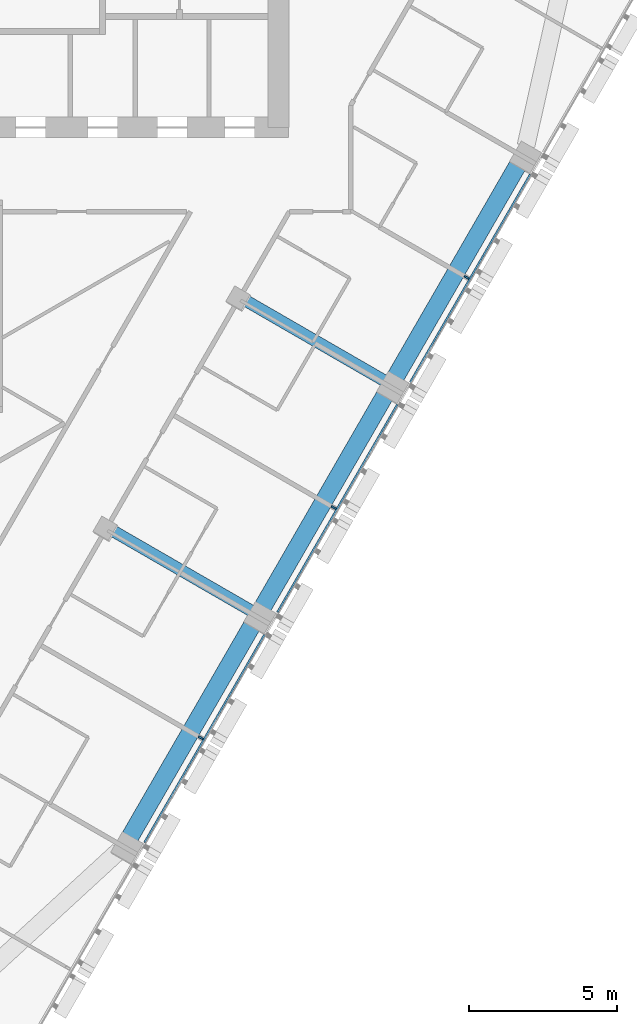
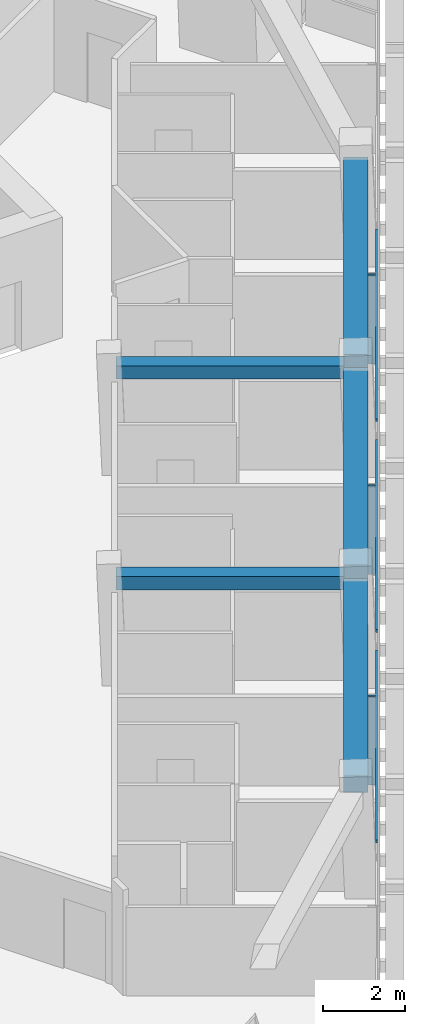
# One storey, part 4 of 16: 6 members, 5 beams, 1 element without a shape of its own.
"""IFC4 building model written with IfcOpenShell, lengths in metres."""

from ifc_helpers import new_model, si_unit, direction, frame, origin, origin_2d, place, context, subcontext, project, spatial, rectangle, extrude, material, layer, layer_set, material_profile, profile_set, type_object, element, aggregate, save


model = new_model("IFC4")

# Units and contexts
model_context = context("Model", 3, precision=1e-05, world=origin(), true_north=direction((0.0, 1.0)))
body_context = subcontext(model_context, "Body", "Model", "MODEL_VIEW")
ifc_project = project(units=[si_unit("LENGTHUNIT", "METRE"), si_unit("AREAUNIT", "SQUARE_METRE"), si_unit("VOLUMEUNIT", "CUBIC_METRE"), si_unit("PLANEANGLEUNIT", "RADIAN"), si_unit("MASSUNIT", "GRAM", prefix="KILO")], contexts=[model_context])

# Site, building, storey
site_placement = place(None, origin())
site = spatial("IfcSite", under=ifc_project, at=site_placement, CompositionType="ELEMENT")
building_placement = place(site_placement, origin())
building = spatial("IfcBuilding", under=site, at=building_placement, Name="Altiplano Prism Tower", CompositionType="ELEMENT")
storey_placement = place(building_placement, frame((0.0, 0.0, 198.0)))
storey = spatial("IfcBuildingStorey", under=building, at=storey_placement, Name="L51", CompositionType="ELEMENT", Elevation=198.0)

# Curtain wall, members
ifc_material_1 = material(Name="Aluminium and glass", Category="aluminium")
ifc_layer = layer(ifc_material_1, 0.280029296875)
ifc_layer_set = layer_set([ifc_layer], Name="Aluminium and glass")
curtain_wall_type = type_object("IfcCurtainWallType", Name="CW1 typical co-living unitised curtain wall", PredefinedType="NOTDEFINED", material=ifc_layer_set)
curtain_wall_placement = place(storey_placement, origin())
curtain_wall = element("IfcCurtainWall", 1, at=curtain_wall_placement, inside=storey, type_object=curtain_wall_type, Name="CW1 curtain wall south-east face L51", PredefinedType="NOTDEFINED")
ifc_material_2 = material(Name="Aluminium", Category="aluminium")
ifc_material_profile_1 = material_profile(ifc_material_2, rectangle(XDim=0.179931640625, YDim=0.06494140625, at=origin_2d()), Name="CW1 mullion 65 x 180")
ifc_profile_set_1 = profile_set([ifc_material_profile_1], Name="Aluminium")
member_type_1 = type_object("IfcMemberType", Name="CW1 mullion 65 x 180", PredefinedType="MULLION", material=ifc_profile_set_1)
member_1_placement = place(storey_placement, frame((94.722412109375, 72.381591796875, 0.0), z_axis=(0.0, 0.0, 1.0), x_axis=(-0.86602540909, 0.49999999081, 0.0)))
member_1 = element("IfcMember", 2, at=member_1_placement, type_object=member_type_1, Name="CW1 mullion", PredefinedType="MULLION", context=body_context, shape_type="SweptSolid", body=[
    extrude(rectangle(XDim=0.179931640625, YDim=0.06494140625, at=origin_2d()), origin(), (0.0, 0.0, 1.0), 2.64990234375),
])
member_2_placement = place(storey_placement, frame((99.222412109375, 80.176025390625, 0.0), z_axis=(0.0, 0.0, 1.0), x_axis=(-0.86602540909, 0.49999999081, 0.0)))
member_2 = element("IfcMember", 3, at=member_2_placement, type_object=member_type_1, Name="CW1 mullion", PredefinedType="MULLION", context=body_context, shape_type="SweptSolid", body=[
    extrude(rectangle(XDim=0.179931640625, YDim=0.06494140625, at=origin_2d()), origin(), (0.0, 0.0, 1.0), 2.64990234375),
])
member_3_placement = place(storey_placement, frame((103.722412109375, 87.97021484375, 0.0), z_axis=(0.0, 0.0, 1.0), x_axis=(-0.86602540909, 0.49999999081, 0.0)))
member_3 = element("IfcMember", 4, at=member_3_placement, type_object=member_type_1, Name="CW1 mullion", PredefinedType="MULLION", context=body_context, shape_type="SweptSolid", body=[
    extrude(rectangle(XDim=0.179931640625, YDim=0.06494140625, at=origin_2d()), origin(), (0.0, 0.0, 1.0), 2.64990234375),
])
ifc_material_profile_2 = material_profile(ifc_material_2, rectangle(XDim=0.06005859375, YDim=0.080078125, at=origin_2d()), Name="CW1 transom 80 x 60")
ifc_profile_set_2 = profile_set([ifc_material_profile_2], Name="Aluminium")
member_type_2 = type_object("IfcMemberType", Name="CW1 transom 80 x 60", PredefinedType="USERDEFINED", material=ifc_profile_set_2)
member_4_placement = place(storey_placement, frame((92.816162109375, 68.83984375, 1.10009765625), z_axis=(0.499990533176, 0.866030869389, 0.0), x_axis=(-0.866030869389, 0.499990533176, 0.0)))
member_4 = element("IfcMember", 5, at=member_4_placement, type_object=member_type_2, Name="CW1 transom", ObjectType="TRANSOM", PredefinedType="USERDEFINED", context=body_context, shape_type="SweptSolid", body=[
    extrude(rectangle(XDim=0.06005859375, YDim=0.080078125, at=origin_2d()), origin(), (0.0, 0.0, 1.0), 8.119873046875),
])
member_5_placement = place(storey_placement, frame((97.316162109375, 76.634033203125, 1.10009765625), z_axis=(0.499990533176, 0.866030869389, 0.0), x_axis=(-0.866030869389, 0.499990533176, 0.0)))
member_5 = element("IfcMember", 6, at=member_5_placement, type_object=member_type_2, Name="CW1 transom", ObjectType="TRANSOM", PredefinedType="USERDEFINED", context=body_context, shape_type="SweptSolid", body=[
    extrude(rectangle(XDim=0.06005859375, YDim=0.080078125, at=origin_2d()), origin(), (0.0, 0.0, 1.0), 8.119873046875),
])
member_6_placement = place(storey_placement, frame((101.816162109375, 84.42822265625, 1.10009765625), z_axis=(0.499977514064, 0.866038385657, 0.0), x_axis=(-0.866038385657, 0.499977514064, 0.0)))
member_6 = element("IfcMember", 7, at=member_6_placement, type_object=member_type_2, Name="CW1 transom", ObjectType="TRANSOM", PredefinedType="USERDEFINED", context=body_context, shape_type="SweptSolid", body=[
    extrude(rectangle(XDim=0.06005859375, YDim=0.080078125, at=origin_2d()), origin(), (0.0, 0.0, 1.0), 8.119873046875),
])
aggregate(curtain_wall, [member_1, member_4, member_2, member_5, member_3, member_6])

# Beams
ifc_material_3 = material(Name="Concrete C60/75", Category="concrete")
ifc_material_profile_3 = material_profile(ifc_material_3, rectangle(XDim=0.60009765625, YDim=0.5, at=origin_2d()), Name="Edge beam 600x500")
ifc_profile_set_3 = profile_set([ifc_material_profile_3], Name="Concrete C60/75")
beam_type_1 = type_object("IfcBeamType", Name="Edge beam 600x500", PredefinedType="SPANDREL", material=ifc_profile_set_3)
for number, where, z_axis, x_axis, name in (
    (8, (92.307373046875, 68.99560546875, 2.89990234375), (0.499993714791, 0.866029032521, 0.0), (-0.866029032521, 0.499993714791, 0.0), "Edge beam P21-P22 L52"),
    (9, (96.807373046875, 76.789794921875, 2.89990234375), (0.499993714791, 0.866029032521, 0.0), (-0.866029032521, 0.499993714791, 0.0), "Edge beam P22-P23 L52"),
    (10, (101.307373046875, 84.583984375, 2.89990234375), (0.499993714791, 0.866029032521, 0.0), (-0.866029032521, 0.499993714791, 0.0), "Edge beam P23-P24 L52"),
):
    element("IfcBeam", number, at=place(storey_placement, frame(where, z_axis=z_axis, x_axis=x_axis)), inside=storey, type_object=beam_type_1, Name=name, PredefinedType="SPANDREL", context=body_context, shape_type="SweptSolid", body=[
        extrude(rectangle(XDim=0.60009765625, YDim=0.5, at=origin_2d()), origin(), (0.0, 0.0, 1.0), 8.43994140625),
    ])
ifc_material_profile_4 = material_profile(ifc_material_3, rectangle(XDim=0.39990234375, YDim=0.39990234375, at=origin_2d()), Name="Tie beam 400x400")
ifc_profile_set_4 = profile_set([ifc_material_profile_4], Name="Concrete C60/75")
beam_type_2 = type_object("IfcBeamType", Name="Tie beam 400x400", PredefinedType="BEAM", material=ifc_profile_set_4)
beam_1_placement = place(storey_placement, frame((91.583740234375, 79.482421875, 2.949951171875), z_axis=(0.866011758658, -0.500023633308, 0.0), x_axis=(0.500023633308, 0.866011758658, 0.0)))
element("IfcBeam", 11, at=beam_1_placement, inside=storey, type_object=beam_type_2, Name="Tie beam I22 L52", PredefinedType="BEAM", context=body_context, shape_type="SweptSolid", body=[
    extrude(rectangle(XDim=0.39990234375, YDim=0.39990234375, at=origin_2d()), origin(), (0.0, 0.0, 1.0), 5.590087890625),
])
beam_2_placement = place(storey_placement, frame((96.083740234375, 87.276611328125, 2.949951171875), z_axis=(0.866030670444, -0.499990877767, 0.0), x_axis=(0.499990877767, 0.866030670444, 0.0)))
element("IfcBeam", 12, at=beam_2_placement, inside=storey, type_object=beam_type_2, Name="Tie beam I23 L52", PredefinedType="BEAM", context=body_context, shape_type="SweptSolid", body=[
    extrude(rectangle(XDim=0.39990234375, YDim=0.39990234375, at=origin_2d()), origin(), (0.0, 0.0, 1.0), 5.58984375),
])

save(model, "model.ifc")
